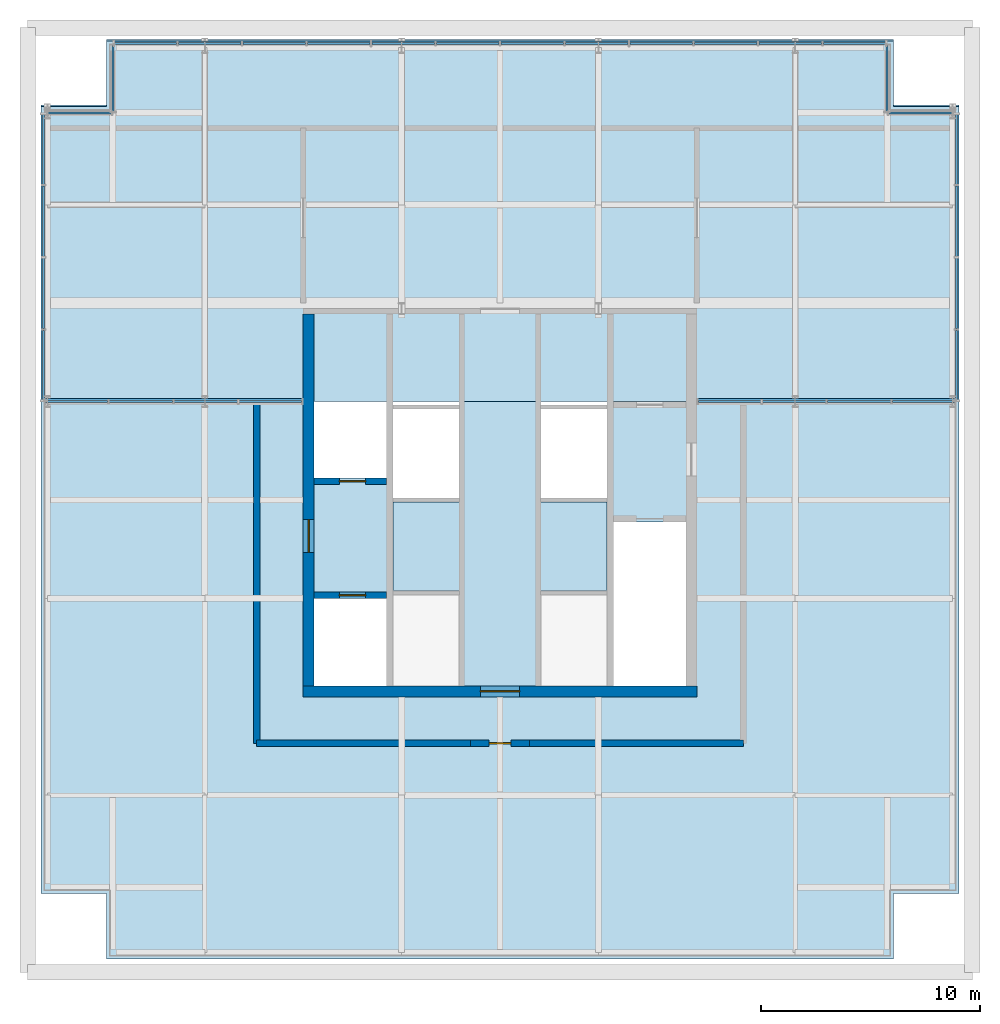
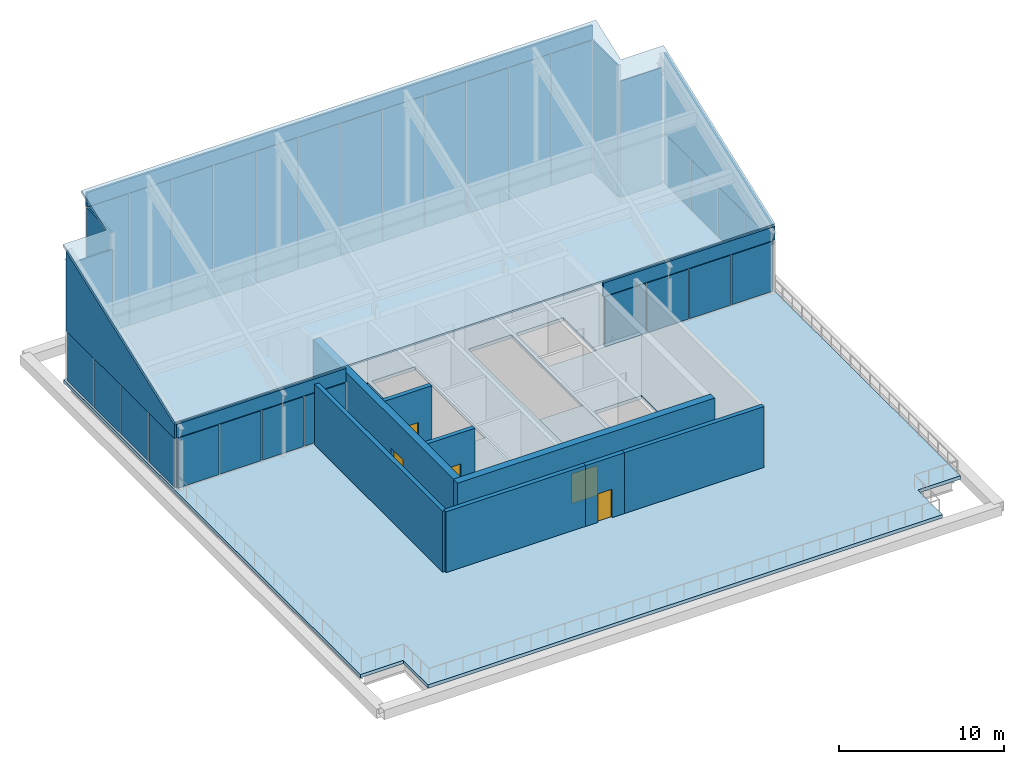
# One storey, part 8 of 10: 37 plates, 8 walls, 5 doors, 4 slabs, 5 openings, 9 elements without a shape of their own.
"""IFC4 building model written with IfcOpenShell, lengths in metres."""

from ifc_helpers import new_model, si_unit, direction, frame, frame_2d, origin, origin_2d, place, context, subcontext, project, spatial, polyline, rectangle, outline, extrude, material, layer, layer_set, type_object, element, fill, aggregate, save


model = new_model("IFC4")

# Units and contexts
model_context = context("Model", 3, precision=1e-05, world=origin(), true_north=direction((0.0, 1.0)))
body_context = subcontext(model_context, "Body", "Model", "MODEL_VIEW")
ifc_project = project(units=[si_unit("LENGTHUNIT", "METRE"), si_unit("AREAUNIT", "SQUARE_METRE"), si_unit("VOLUMEUNIT", "CUBIC_METRE"), si_unit("PLANEANGLEUNIT", "RADIAN"), si_unit("MASSUNIT", "GRAM", prefix="KILO")], contexts=[model_context])

# Site, building, storey
site_placement = place(None, origin())
site = spatial("IfcSite", under=ifc_project, at=site_placement, CompositionType="ELEMENT")
building_placement = place(site_placement, origin())
building = spatial("IfcBuilding", under=site, at=building_placement, Name="Malebo Sky Hospital", CompositionType="ELEMENT")
storey_placement = place(building_placement, frame((0.0, 0.0, 290.0)))
storey = spatial("IfcBuildingStorey", under=building, at=storey_placement, Name="RF", CompositionType="ELEMENT", Elevation=290.0)

# Slab
ifc_material_1 = material(Name="Insulated aluminium standing-seam roof on steel deck", Category="steel")
ifc_layer_1 = layer(ifc_material_1, 0.199951171875)
ifc_layer_set_1 = layer_set([ifc_layer_1], Name="CROWN ROOF DECK 200")
slab_type_1 = type_object("IfcSlabType", Name="CROWN ROOF DECK 200", PredefinedType="ROOF", material=ifc_layer_set_1)
slab_1_placement = place(storey_placement, frame((39.0, 66.5, 5.0), z_axis=(0.0, -0.347313162781, 0.937749202591), x_axis=(1.0, 0.0, 0.0)))
element("IfcSlab", 1, at=slab_1_placement, inside=storey, type_object=slab_type_1, Name="Sloped crown roof", PredefinedType="ROOF", context=body_context, shape_type="SweptSolid", body=[
    extrude(outline(polyline([(0.0, 0.0), (42.0, 0.0), (42.0, 14.39618004887632), (39.0, 14.39618004887632), (39.0, 17.595321749376318), (3.0, 17.595321749376318), (3.0, 14.39618004887632), (0.0, 14.39618004887632), (0.0, 0.0)])), origin(), (0.0, 0.0, -1.0), 0.199951171875),
])

# Plates
ifc_material_2 = material(Name="Anodised aluminium, natural silver insulated spandrel panel", Category="aluminium")
ifc_layer_2 = layer(ifc_material_2, 0.14990234375)
ifc_layer_set_2 = layer_set([ifc_layer_2], Name="CROWN SPANDREL PANEL 150")
plate_type_1 = type_object("IfcPlateType", Name="CROWN SPANDREL PANEL 150", PredefinedType="SHEET", material=ifc_layer_set_2)
plate_1_placement = place(storey_placement, frame((81.0, 66.5, 3.800048828125), z_axis=(1.0, 0.0, 0.0), x_axis=(0.0, 1.0, 0.0)))
element("IfcPlate", 2, at=plate_1_placement, inside=storey, type_object=plate_type_1, Name="Crown spandrel panel E", PredefinedType="SHEET", context=body_context, shape_type="SweptSolid", body=[
    extrude(outline(polyline([(0.0, 0.0), (13.199951171875, 0.0), (13.199951171875, 5.888916015625), (0.0, 1.0), (0.0, 0.0)])), origin(), (0.0, 0.0, -1.0), 0.14990234375),
])
plate_2_placement = place(storey_placement, frame((39.0, 66.5, 4.800048828125), z_axis=(-1.0, 0.0, 0.0), x_axis=(0.0, 0.937747714629, 0.347317180266)))
element("IfcPlate", 3, at=plate_2_placement, inside=storey, type_object=plate_type_1, Name="Crown spandrel panel W", PredefinedType="SHEET", context=body_context, shape_type="SweptSolid", body=[
    extrude(outline(polyline([(0.0, 0.0), (14.076228569745478, 0.0), (12.030906864374774, 5.52231753529477), (-0.3473171802660917, 0.9377477146290526), (0.0, 0.0)])), origin(), (0.0, 0.0, -1.0), 0.14990234375),
])
plate_3_placement = place(storey_placement, frame((42.300048828125, 83.0, 10.9111328125), z_axis=(0.0, 1.0, 0.0), x_axis=(1.0, 0.0, 0.0)))
element("IfcPlate", 4, at=plate_3_placement, inside=storey, type_object=plate_type_1, Name="Crown spandrel panel N", PredefinedType="SHEET", context=body_context, shape_type="SweptSolid", body=[
    extrude(outline(polyline([(0.0, 0.0), (35.39990234375, 0.0), (35.39990234375, 1.04638671875), (0.0, 1.04638671875), (0.0, 0.0)])), origin(), (0.0, 0.0, -1.0), 0.14990234375),
])
for number, where, z_axis, x_axis, name in (
    (5, (39.125, 66.5, 3.800048828125), (0.0, -1.0, 0.0), (1.0, 0.0, 0.0), "Crown spandrel panel SW"),
    (6, (69.0, 66.5, 3.800048828125), (0.0, -1.0, 0.0), (1.0, 0.0, 0.0), "Crown spandrel panel SE"),
):
    element("IfcPlate", number, at=place(storey_placement, frame(where, z_axis=z_axis, x_axis=x_axis)), inside=storey, type_object=plate_type_1, Name=name, PredefinedType="SHEET", context=body_context, shape_type="SweptSolid", body=[
        extrude(outline(polyline([(0.0, 0.0), (11.875, 0.0), (11.875, 1.0), (0.0, 1.0), (0.0, 0.0)])), origin(), (0.0, 0.0, -1.0), 0.14990234375),
    ])

# Curtain wall, plates
ifc_material_3 = material(Name="Anodised aluminium, natural silver", Category="aluminium")
ifc_layer_3 = layer(ifc_material_3, 0.25)
ifc_layer_set_3 = layer_set([ifc_layer_3], Name="PENTHOUSE LOUVRE SCREEN")
curtain_wall_type = type_object("IfcCurtainWallType", Name="PENTHOUSE LOUVRE SCREEN", PredefinedType="NOTDEFINED", material=ifc_layer_set_3)
curtain_wall_1_placement = place(storey_placement, origin())
curtain_wall_1 = element("IfcCurtainWall", 7, at=curtain_wall_1_placement, inside=storey, type_object=curtain_wall_type, Name="ROOF curtain wall N", PredefinedType="NOTDEFINED")
ifc_layer_4 = layer(ifc_material_3, 0.10009765625)
ifc_layer_set_4 = layer_set([ifc_layer_4], Name="LOUVRE PANEL 100")
plate_type_2 = type_object("IfcPlateType", Name="LOUVRE PANEL 100", PredefinedType="CURTAIN_PANEL", material=ifc_layer_set_4)
plate_4_placement = place(storey_placement, frame((76.206298828125, 82.875, 0.099853515625), z_axis=(0.0, 0.0, 1.0), x_axis=(-1.0, 0.0, 0.0)))
plate_4 = element("IfcPlate", 8, at=plate_4_placement, type_object=plate_type_2, Name="Panel 1", PredefinedType="CURTAIN_PANEL", context=body_context, shape_type="SweptSolid", body=[
    extrude(rectangle(XDim=2.83740234375, YDim=0.10009765625, at=origin_2d()), origin(), (0.0, 0.0, 1.0), 9.7548828125),
])
plate_5_placement = place(storey_placement, frame((73.27490234375, 82.875, 0.099853515625), z_axis=(0.0, 0.0, 1.0), x_axis=(-1.0, 0.0, 0.0)))
plate_5 = element("IfcPlate", 9, at=plate_5_placement, type_object=plate_type_2, Name="Panel 2", PredefinedType="CURTAIN_PANEL", context=body_context, shape_type="SweptSolid", body=[
    extrude(rectangle(XDim=2.875, YDim=0.10009765625, at=origin_2d()), origin(), (0.0, 0.0, 1.0), 9.7548828125),
])
plate_6_placement = place(storey_placement, frame((70.324951171875, 82.875, 0.099853515625), z_axis=(0.0, 0.0, 1.0), x_axis=(-1.0, 0.0, 0.0)))
plate_6 = element("IfcPlate", 10, at=plate_6_placement, type_object=plate_type_2, Name="Panel 3", PredefinedType="CURTAIN_PANEL", context=body_context, shape_type="SweptSolid", body=[
    extrude(rectangle(XDim=2.875, YDim=0.10009765625, at=origin_2d()), origin(), (0.0, 0.0, 1.0), 9.7548828125),
])
plate_7_placement = place(storey_placement, frame((67.375, 82.875, 0.099853515625), z_axis=(0.0, 0.0, 1.0), x_axis=(-1.0, 0.0, 0.0)))
plate_7 = element("IfcPlate", 11, at=plate_7_placement, type_object=plate_type_2, Name="Panel 4", PredefinedType="CURTAIN_PANEL", context=body_context, shape_type="SweptSolid", body=[
    extrude(rectangle(XDim=2.875, YDim=0.10009765625, at=origin_2d()), origin(), (0.0, 0.0, 1.0), 9.7548828125),
])
plate_8_placement = place(storey_placement, frame((64.425048828125, 82.875, 0.099853515625), z_axis=(0.0, 0.0, 1.0), x_axis=(-1.0, 0.0, 0.0)))
plate_8 = element("IfcPlate", 12, at=plate_8_placement, type_object=plate_type_2, Name="Panel 5", PredefinedType="CURTAIN_PANEL", context=body_context, shape_type="SweptSolid", body=[
    extrude(rectangle(XDim=2.875, YDim=0.10009765625, at=origin_2d()), origin(), (0.0, 0.0, 1.0), 9.7548828125),
])
plate_9_placement = place(storey_placement, frame((61.47509765625, 82.875, 0.099853515625), z_axis=(0.0, 0.0, 1.0), x_axis=(-1.0, 0.0, 0.0)))
plate_9 = element("IfcPlate", 13, at=plate_9_placement, type_object=plate_type_2, Name="Panel 6", PredefinedType="CURTAIN_PANEL", context=body_context, shape_type="SweptSolid", body=[
    extrude(rectangle(XDim=2.875, YDim=0.10009765625, at=origin_2d()), origin(), (0.0, 0.0, 1.0), 9.7548828125),
])
plate_10_placement = place(storey_placement, frame((58.52490234375, 82.875, 0.099853515625), z_axis=(0.0, 0.0, 1.0), x_axis=(-1.0, 0.0, 0.0)))
plate_10 = element("IfcPlate", 14, at=plate_10_placement, type_object=plate_type_2, Name="Panel 7", PredefinedType="CURTAIN_PANEL", context=body_context, shape_type="SweptSolid", body=[
    extrude(rectangle(XDim=2.875, YDim=0.10009765625, at=origin_2d()), origin(), (0.0, 0.0, 1.0), 9.7548828125),
])
plate_11_placement = place(storey_placement, frame((55.574951171875, 82.875, 0.099853515625), z_axis=(0.0, 0.0, 1.0), x_axis=(-1.0, 0.0, 0.0)))
plate_11 = element("IfcPlate", 15, at=plate_11_placement, type_object=plate_type_2, Name="Panel 8", PredefinedType="CURTAIN_PANEL", context=body_context, shape_type="SweptSolid", body=[
    extrude(rectangle(XDim=2.875, YDim=0.10009765625, at=origin_2d()), origin(), (0.0, 0.0, 1.0), 9.7548828125),
])
plate_12_placement = place(storey_placement, frame((52.625, 82.875, 0.099853515625), z_axis=(0.0, 0.0, 1.0), x_axis=(-1.0, 0.0, 0.0)))
plate_12 = element("IfcPlate", 16, at=plate_12_placement, type_object=plate_type_2, Name="Panel 9", PredefinedType="CURTAIN_PANEL", context=body_context, shape_type="SweptSolid", body=[
    extrude(rectangle(XDim=2.875, YDim=0.10009765625, at=origin_2d()), origin(), (0.0, 0.0, 1.0), 9.7548828125),
])
plate_13_placement = place(storey_placement, frame((49.675048828125, 82.875, 0.099853515625), z_axis=(0.0, 0.0, 1.0), x_axis=(-1.0, 0.0, 0.0)))
plate_13 = element("IfcPlate", 17, at=plate_13_placement, type_object=plate_type_2, Name="Panel 10", PredefinedType="CURTAIN_PANEL", context=body_context, shape_type="SweptSolid", body=[
    extrude(rectangle(XDim=2.875, YDim=0.10009765625, at=origin_2d()), origin(), (0.0, 0.0, 1.0), 9.7548828125),
])
plate_14_placement = place(storey_placement, frame((46.72509765625, 82.875, 0.099853515625), z_axis=(0.0, 0.0, 1.0), x_axis=(-1.0, 0.0, 0.0)))
plate_14 = element("IfcPlate", 18, at=plate_14_placement, type_object=plate_type_2, Name="Panel 11", PredefinedType="CURTAIN_PANEL", context=body_context, shape_type="SweptSolid", body=[
    extrude(rectangle(XDim=2.875, YDim=0.10009765625, at=origin_2d()), origin(), (0.0, 0.0, 1.0), 9.7548828125),
])
plate_15_placement = place(storey_placement, frame((43.793701171875, 82.875, 0.099853515625), z_axis=(0.0, 0.0, 1.0), x_axis=(-1.0, 0.0, 0.0)))
plate_15 = element("IfcPlate", 19, at=plate_15_placement, type_object=plate_type_2, Name="Panel 12", PredefinedType="CURTAIN_PANEL", context=body_context, shape_type="SweptSolid", body=[
    extrude(rectangle(XDim=2.83740234375, YDim=0.10009765625, at=origin_2d()), origin(), (0.0, 0.0, 1.0), 9.7548828125),
])
aggregate(curtain_wall_1, [plate_4, plate_5, plate_6, plate_7, plate_8, plate_9, plate_10, plate_11, plate_12, plate_13, plate_14, plate_15])

curtain_wall_2_placement = place(storey_placement, origin())
curtain_wall_2 = element("IfcCurtainWall", 20, at=curtain_wall_2_placement, inside=storey, type_object=curtain_wall_type, Name="ROOF curtain wall SW", PredefinedType="NOTDEFINED")
plate_16_placement = place(storey_placement, frame((40.628173828125, 66.5, 0.10009765625), z_axis=(0.0, 0.0, 1.0), x_axis=(1.0, 0.0, 0.0)))
plate_16 = element("IfcPlate", 21, at=plate_16_placement, type_object=plate_type_2, Name="Panel 1", PredefinedType="CURTAIN_PANEL", context=body_context, shape_type="SweptSolid", body=[
    extrude(rectangle(XDim=2.856201171875, YDim=0.10009765625, at=origin_2d()), origin(), (0.0, 0.0, 1.0), 3.68994140625),
])
plate_17_placement = place(storey_placement, frame((43.578125, 66.5, 0.10009765625), z_axis=(0.0, 0.0, 1.0), x_axis=(1.0, 0.0, 0.0)))
plate_17 = element("IfcPlate", 22, at=plate_17_placement, type_object=plate_type_2, Name="Panel 2", PredefinedType="CURTAIN_PANEL", context=body_context, shape_type="SweptSolid", body=[
    extrude(rectangle(XDim=2.893798828125, YDim=0.10009765625, at=origin_2d()), origin(), (0.0, 0.0, 1.0), 3.68994140625),
])
plate_18_placement = place(storey_placement, frame((46.546875, 66.5, 0.10009765625), z_axis=(0.0, 0.0, 1.0), x_axis=(1.0, 0.0, 0.0)))
plate_18 = element("IfcPlate", 23, at=plate_18_placement, type_object=plate_type_2, Name="Panel 3", PredefinedType="CURTAIN_PANEL", context=body_context, shape_type="SweptSolid", body=[
    extrude(rectangle(XDim=2.893798828125, YDim=0.10009765625, at=origin_2d()), origin(), (0.0, 0.0, 1.0), 3.68994140625),
])
plate_19_placement = place(storey_placement, frame((49.496826171875, 66.5, 0.10009765625), z_axis=(0.0, 0.0, 1.0), x_axis=(1.0, 0.0, 0.0)))
plate_19 = element("IfcPlate", 24, at=plate_19_placement, type_object=plate_type_2, Name="Panel 4", PredefinedType="CURTAIN_PANEL", context=body_context, shape_type="SweptSolid", body=[
    extrude(rectangle(XDim=2.856201171875, YDim=0.10009765625, at=origin_2d()), origin(), (0.0, 0.0, 1.0), 3.68994140625),
])
aggregate(curtain_wall_2, [plate_16, plate_17, plate_18, plate_19])

curtain_wall_3_placement = place(storey_placement, origin())
curtain_wall_3 = element("IfcCurtainWall", 25, at=curtain_wall_3_placement, inside=storey, type_object=curtain_wall_type, Name="ROOF curtain wall SE", PredefinedType="NOTDEFINED")
plate_20_placement = place(storey_placement, frame((70.503173828125, 66.5, 0.10009765625), z_axis=(0.0, 0.0, 1.0), x_axis=(1.0, 0.0, 0.0)))
plate_20 = element("IfcPlate", 26, at=plate_20_placement, type_object=plate_type_2, Name="Panel 1", PredefinedType="CURTAIN_PANEL", context=body_context, shape_type="SweptSolid", body=[
    extrude(rectangle(XDim=2.856201171875, YDim=0.10009765625, at=origin_2d()), origin(), (0.0, 0.0, 1.0), 3.68994140625),
])
plate_21_placement = place(storey_placement, frame((73.453125, 66.5, 0.10009765625), z_axis=(0.0, 0.0, 1.0), x_axis=(1.0, 0.0, 0.0)))
plate_21 = element("IfcPlate", 27, at=plate_21_placement, type_object=plate_type_2, Name="Panel 2", PredefinedType="CURTAIN_PANEL", context=body_context, shape_type="SweptSolid", body=[
    extrude(rectangle(XDim=2.893798828125, YDim=0.10009765625, at=origin_2d()), origin(), (0.0, 0.0, 1.0), 3.68994140625),
])
plate_22_placement = place(storey_placement, frame((76.421875, 66.5, 0.10009765625), z_axis=(0.0, 0.0, 1.0), x_axis=(1.0, 0.0, 0.0)))
plate_22 = element("IfcPlate", 28, at=plate_22_placement, type_object=plate_type_2, Name="Panel 3", PredefinedType="CURTAIN_PANEL", context=body_context, shape_type="SweptSolid", body=[
    extrude(rectangle(XDim=2.893798828125, YDim=0.10009765625, at=origin_2d()), origin(), (0.0, 0.0, 1.0), 3.68994140625),
])
plate_23_placement = place(storey_placement, frame((79.371826171875, 66.5, 0.10009765625), z_axis=(0.0, 0.0, 1.0), x_axis=(1.0, 0.0, 0.0)))
plate_23 = element("IfcPlate", 29, at=plate_23_placement, type_object=plate_type_2, Name="Panel 4", PredefinedType="CURTAIN_PANEL", context=body_context, shape_type="SweptSolid", body=[
    extrude(rectangle(XDim=2.856201171875, YDim=0.10009765625, at=origin_2d()), origin(), (0.0, 0.0, 1.0), 3.68994140625),
])
aggregate(curtain_wall_3, [plate_20, plate_21, plate_22, plate_23])

curtain_wall_4_placement = place(storey_placement, origin())
curtain_wall_4 = element("IfcCurtainWall", 30, at=curtain_wall_4_placement, inside=storey, type_object=curtain_wall_type, Name="ROOF curtain wall E", PredefinedType="NOTDEFINED")
plate_24_placement = place(storey_placement, frame((80.875, 68.168701171875, 0.10009765625), z_axis=(0.0, 0.0, 1.0), x_axis=(0.0, 1.0, 0.0)))
plate_24 = element("IfcPlate", 31, at=plate_24_placement, type_object=plate_type_2, Name="Panel 1", PredefinedType="CURTAIN_PANEL", context=body_context, shape_type="SweptSolid", body=[
    extrude(rectangle(XDim=3.1875, YDim=0.10009765625, at=origin_2d()), origin(), (0.0, 0.0, 1.0), 3.68994140625),
])
plate_25_placement = place(storey_placement, frame((80.875, 71.449951171875, 0.10009765625), z_axis=(0.0, 0.0, 1.0), x_axis=(0.0, 1.0, 0.0)))
plate_25 = element("IfcPlate", 32, at=plate_25_placement, type_object=plate_type_2, Name="Panel 2", PredefinedType="CURTAIN_PANEL", context=body_context, shape_type="SweptSolid", body=[
    extrude(rectangle(XDim=3.22509765625, YDim=0.10009765625, at=origin_2d()), origin(), (0.0, 0.0, 1.0), 3.68994140625),
])
plate_26_placement = place(storey_placement, frame((80.875, 74.75, 0.10009765625), z_axis=(0.0, 0.0, 1.0), x_axis=(0.0, 1.0, 0.0)))
plate_26 = element("IfcPlate", 33, at=plate_26_placement, type_object=plate_type_2, Name="Panel 3", PredefinedType="CURTAIN_PANEL", context=body_context, shape_type="SweptSolid", body=[
    extrude(rectangle(XDim=3.22509765625, YDim=0.10009765625, at=origin_2d()), origin(), (0.0, 0.0, 1.0), 3.68994140625),
])
plate_27_placement = place(storey_placement, frame((80.875, 78.03125, 0.10009765625), z_axis=(0.0, 0.0, 1.0), x_axis=(0.0, 1.0, 0.0)))
plate_27 = element("IfcPlate", 34, at=plate_27_placement, type_object=plate_type_2, Name="Panel 4", PredefinedType="CURTAIN_PANEL", context=body_context, shape_type="SweptSolid", body=[
    extrude(rectangle(XDim=3.1875, YDim=0.10009765625, at=origin_2d()), origin(), (0.0, 0.0, 1.0), 3.68994140625),
])
aggregate(curtain_wall_4, [plate_24, plate_25, plate_26, plate_27])

curtain_wall_5_placement = place(storey_placement, origin())
curtain_wall_5 = element("IfcCurtainWall", 35, at=curtain_wall_5_placement, inside=storey, type_object=curtain_wall_type, Name="ROOF curtain wall W", PredefinedType="NOTDEFINED")
plate_28_placement = place(storey_placement, frame((39.125, 78.03125, 0.10009765625), z_axis=(0.0, 0.0, 1.0), x_axis=(0.0, -1.0, 0.0)))
plate_28 = element("IfcPlate", 36, at=plate_28_placement, type_object=plate_type_2, Name="Panel 1", PredefinedType="CURTAIN_PANEL", context=body_context, shape_type="SweptSolid", body=[
    extrude(rectangle(XDim=3.1875, YDim=0.10009765625, at=origin_2d()), origin(), (0.0, 0.0, 1.0), 3.68994140625),
])
plate_29_placement = place(storey_placement, frame((39.125, 74.75, 0.10009765625), z_axis=(0.0, 0.0, 1.0), x_axis=(0.0, -1.0, 0.0)))
plate_29 = element("IfcPlate", 37, at=plate_29_placement, type_object=plate_type_2, Name="Panel 2", PredefinedType="CURTAIN_PANEL", context=body_context, shape_type="SweptSolid", body=[
    extrude(rectangle(XDim=3.22509765625, YDim=0.10009765625, at=origin_2d()), origin(), (0.0, 0.0, 1.0), 3.68994140625),
])
plate_30_placement = place(storey_placement, frame((39.125, 71.449951171875, 0.10009765625), z_axis=(0.0, 0.0, 1.0), x_axis=(0.0, -1.0, 0.0)))
plate_30 = element("IfcPlate", 38, at=plate_30_placement, type_object=plate_type_2, Name="Panel 3", PredefinedType="CURTAIN_PANEL", context=body_context, shape_type="SweptSolid", body=[
    extrude(rectangle(XDim=3.22509765625, YDim=0.10009765625, at=origin_2d()), origin(), (0.0, 0.0, 1.0), 3.68994140625),
])
plate_31_placement = place(storey_placement, frame((39.125, 68.168701171875, 0.10009765625), z_axis=(0.0, 0.0, 1.0), x_axis=(0.0, -1.0, 0.0)))
plate_31 = element("IfcPlate", 39, at=plate_31_placement, type_object=plate_type_2, Name="Panel 4", PredefinedType="CURTAIN_PANEL", context=body_context, shape_type="SweptSolid", body=[
    extrude(rectangle(XDim=3.1875, YDim=0.10009765625, at=origin_2d()), origin(), (0.0, 0.0, 1.0), 3.68994140625),
])
aggregate(curtain_wall_5, [plate_28, plate_29, plate_30, plate_31])

# Curtain wall, plate
curtain_wall_6_placement = place(storey_placement, origin())
curtain_wall_6 = element("IfcCurtainWall", 40, at=curtain_wall_6_placement, inside=storey, type_object=curtain_wall_type, Name="ROOF curtain wall NW1", PredefinedType="NOTDEFINED")
plate_32_placement = place(storey_placement, frame((40.781005859375, 79.699951171875, 0.10009765625), z_axis=(0.0, 0.0, 1.0), x_axis=(1.0, 0.0, 0.0)))
plate_32 = element("IfcPlate", 41, at=plate_32_placement, type_object=plate_type_2, Name="Panel 1", PredefinedType="CURTAIN_PANEL", context=body_context, shape_type="SweptSolid", body=[
    extrude(rectangle(XDim=2.887939453125, YDim=0.10009765625, at=origin_2d()), origin(), (0.0, 0.0, 1.0), 8.578857421875),
])
aggregate(curtain_wall_6, [plate_32])

curtain_wall_7_placement = place(storey_placement, origin())
curtain_wall_7 = element("IfcCurtainWall", 42, at=curtain_wall_7_placement, inside=storey, type_object=curtain_wall_type, Name="ROOF curtain wall NW2", PredefinedType="NOTDEFINED")
plate_33_placement = place(storey_placement, frame((42.300048828125, 81.28759765625, 0.099853515625), z_axis=(0.0, 0.0, 1.0), x_axis=(0.0, 1.0, 0.0)))
plate_33 = element("IfcPlate", 43, at=plate_33_placement, type_object=plate_type_2, Name="Panel 1", PredefinedType="CURTAIN_PANEL", context=body_context, shape_type="SweptSolid", body=[
    extrude(rectangle(XDim=3.02490234375, YDim=0.10009765625, at=origin_2d()), origin(), (0.0, 0.0, 1.0), 9.7548828125),
])
aggregate(curtain_wall_7, [plate_33])

curtain_wall_8_placement = place(storey_placement, origin())
curtain_wall_8 = element("IfcCurtainWall", 44, at=curtain_wall_8_placement, inside=storey, type_object=curtain_wall_type, Name="ROOF curtain wall NE1", PredefinedType="NOTDEFINED")
plate_34_placement = place(storey_placement, frame((79.218994140625, 79.699951171875, 0.10009765625), z_axis=(0.0, 0.0, 1.0), x_axis=(-1.0, 0.0, 0.0)))
plate_34 = element("IfcPlate", 45, at=plate_34_placement, type_object=plate_type_2, Name="Panel 1", PredefinedType="CURTAIN_PANEL", context=body_context, shape_type="SweptSolid", body=[
    extrude(rectangle(XDim=2.887939453125, YDim=0.10009765625, at=origin_2d()), origin(), (0.0, 0.0, 1.0), 8.578857421875),
])
aggregate(curtain_wall_8, [plate_34])

curtain_wall_9_placement = place(storey_placement, origin())
curtain_wall_9 = element("IfcCurtainWall", 46, at=curtain_wall_9_placement, inside=storey, type_object=curtain_wall_type, Name="ROOF curtain wall NE2", PredefinedType="NOTDEFINED")
plate_35_placement = place(storey_placement, frame((77.699951171875, 81.28759765625, 0.099853515625), z_axis=(0.0, 0.0, 1.0), x_axis=(0.0, 1.0, 0.0)))
plate_35 = element("IfcPlate", 47, at=plate_35_placement, type_object=plate_type_2, Name="Panel 1", PredefinedType="CURTAIN_PANEL", context=body_context, shape_type="SweptSolid", body=[
    extrude(rectangle(XDim=3.02490234375, YDim=0.10009765625, at=origin_2d()), origin(), (0.0, 0.0, 1.0), 9.7548828125),
])
aggregate(curtain_wall_9, [plate_35])

# Slabs
ifc_material_4 = material(Name="Concrete C40/50", Category="concrete")
ifc_layer_5 = layer(ifc_material_4, 0.25)
ifc_layer_set_5 = layer_set([ifc_layer_5], Name="ROOF SLAB 250")
slab_type_2 = type_object("IfcSlabType", Name="ROOF SLAB 250", PredefinedType="ROOF", material=ifc_layer_set_5)
slab_2_placement = place(storey_placement, frame((0.0, 0.0, -0.25)))
element("IfcSlab", 48, at=slab_2_placement, inside=storey, type_object=slab_type_2, Name="Main roof and helicopter landing deck", PredefinedType="ROOF", context=body_context, shape_type="SweptSolid", body=[
    extrude(outline(polyline([(42.0, 80.0), (39.0, 80.0), (39.0, 44.0), (42.0, 44.0), (42.0, 41.0), (78.0, 41.0), (78.0, 44.0), (81.0, 44.0), (81.0, 80.0), (78.0, 80.0), (78.0, 83.0), (42.0, 83.0), (42.0, 80.0)]), holes=[polyline([(58.14990234375, 70.5), (58.14990234375, 53.5), (55.10009765625, 53.5), (55.10009765625, 70.5), (58.14990234375, 70.5)]), polyline([(64.89990234375, 53.5), (61.85009765625, 53.5), (61.85009765625, 70.5), (64.89990234375, 70.5), (64.89990234375, 53.5)]), polyline([(51.5, 63.0), (51.5, 70.5), (54.800048828125, 70.5), (54.800048828125, 63.0), (51.5, 63.0)]), polyline([(51.5, 57.5), (54.800048828125, 57.5), (54.800048828125, 53.5), (51.5, 53.5), (51.5, 57.5)]), polyline([(68.5, 61.0), (68.5, 53.5), (65.199951171875, 53.5), (65.199951171875, 61.0), (68.5, 61.0)]), polyline([(68.5, 66.5), (65.199951171875, 66.5), (65.199951171875, 70.5), (68.5, 70.5), (68.5, 66.5)])]), origin(), (0.0, 0.0, 1.0), 0.25),
])
ifc_layer_6 = layer(ifc_material_4, 0.25)
ifc_layer_set_6 = layer_set([ifc_layer_6], Name="SHAFT INFILL SLAB 250")
slab_type_3 = type_object("IfcSlabType", Name="SHAFT INFILL SLAB 250", PredefinedType="FLOOR", material=ifc_layer_set_6)
slab_3_placement = place(storey_placement, frame((0.0, 0.0, -0.25)))
element("IfcSlab", 49, at=slab_3_placement, inside=storey, type_object=slab_type_3, Name="Shaft infill slab W2 RF", PredefinedType="FLOOR", context=body_context, shape_type="SweptSolid", body=[
    extrude(outline(polyline([(55.10009765625, 57.85009765625), (58.14990234375, 57.85009765625), (58.14990234375, 61.89990234375), (55.10009765625, 61.89990234375), (55.10009765625, 57.85009765625)])), origin(), (0.0, 0.0, 1.0), 0.25),
])
slab_4_placement = place(storey_placement, frame((0.0, 0.0, -0.25)))
element("IfcSlab", 50, at=slab_4_placement, inside=storey, type_object=slab_type_3, Name="Shaft infill slab E2 RF", PredefinedType="FLOOR", context=body_context, shape_type="SweptSolid", body=[
    extrude(outline(polyline([(61.85009765625, 57.85009765625), (64.89990234375, 57.85009765625), (64.89990234375, 61.89990234375), (61.85009765625, 61.89990234375), (61.85009765625, 57.85009765625)])), origin(), (0.0, 0.0, 1.0), 0.25),
])

# Wall, opening, door
ifc_material_5 = material(Name="Concrete C80/95", Category="concrete")
ifc_layer_7 = layer(ifc_material_5, 0.300048828125)
ifc_layer_set_7 = layer_set([ifc_layer_7], Name="CORE INNER WALL 300")
wall_type_1 = type_object("IfcWallType", Name="CORE INNER WALL 300", PredefinedType="SHEAR", material=ifc_layer_set_7)
wall_1_placement = place(storey_placement, frame((51.5, 62.85009765625, 0.0), z_axis=(0.0, 0.0, 1.0), x_axis=(1.0, 0.0, 0.0)))
wall_1 = element("IfcWall", 51, at=wall_1_placement, inside=storey, type_object=wall_type_1, Name="Core wall W1 RF", PredefinedType="SHEAR", context=body_context, shape_type="SweptSolid", body=[
    extrude(rectangle(XDim=3.300048828125, YDim=0.300048828125, at=frame_2d((1.64990234375, 0.0))), origin(), (0.0, 0.0, 1.0), 4.5),
])
opening_1_placement = place(wall_1_placement, frame((1.14990234375, 0.0, 0.0)))
opening_1 = element("IfcOpeningElement", 52, at=opening_1_placement, cuts=wall_1, Name="Opening D08", PredefinedType="OPENING", context=body_context, shape_type="SweptSolid", body=[
    extrude(rectangle(XDim=1.199951171875, YDim=2.10009765625, at=frame_2d((0.60009765625, 1.050048828125))), frame((0.0, 0.159912109375, 0.0), z_axis=(0.0, -1.0, 0.0), x_axis=(1.0, 0.0, 0.0)), (0.0, 0.0, 1.0), 0.320068359375),
])
ifc_material_6 = material(Name="Hardwood-faced door leaf in steel frame", Category="steel")
door_type_1 = type_object("IfcDoorType", Name="STAIR DOOR 1200", OperationType="SINGLE_SWING_LEFT", PredefinedType="DOOR", material=ifc_material_6)
door_1_placement = place(opening_1_placement, origin())
door_1 = element("IfcDoor", 53, at=door_1_placement, inside=storey, type_object=door_type_1, Name="Stair S1 door", OperationType="SINGLE_SWING_RIGHT", OverallHeight=2.10009765625, OverallWidth=1.199951171875, PredefinedType="DOOR", context=body_context, shape_type="SweptSolid", body=[
    extrude(rectangle(XDim=1.199951171875, YDim=2.10009765625, at=frame_2d((0.60009765625, 1.050048828125))), frame((0.0, 0.02490234375, 0.0), z_axis=(0.0, -1.0, 0.0), x_axis=(1.0, 0.0, 0.0)), (0.0, 0.0, 1.0), 0.050048828125),
])
fill(opening_1, door_1)

wall_2_placement = place(storey_placement, frame((51.5, 57.64990234375, 0.0), z_axis=(0.0, 0.0, 1.0), x_axis=(1.0, 0.0, 0.0)))
wall_2 = element("IfcWall", 54, at=wall_2_placement, inside=storey, type_object=wall_type_1, Name="Core wall W2 RF", PredefinedType="SHEAR", context=body_context, shape_type="SweptSolid", body=[
    extrude(rectangle(XDim=3.300048828125, YDim=0.300048828125, at=frame_2d((1.64990234375, 0.0))), origin(), (0.0, 0.0, 1.0), 4.5),
])
opening_2_placement = place(wall_2_placement, frame((1.14990234375, 0.0, 0.0)))
opening_2 = element("IfcOpeningElement", 55, at=opening_2_placement, cuts=wall_2, Name="Opening LD2", PredefinedType="OPENING", context=body_context, shape_type="SweptSolid", body=[
    extrude(rectangle(XDim=1.199951171875, YDim=2.199951171875, at=frame_2d((0.60009765625, 1.10009765625))), frame((0.0, 0.159912109375, 0.0), z_axis=(0.0, -1.0, 0.0), x_axis=(1.0, 0.0, 0.0)), (0.0, 0.0, 1.0), 0.320068359375),
])
ifc_material_7 = material(Name="Stainless steel sliding landing door", Category="steel")
door_type_2 = type_object("IfcDoorType", Name="FIRE-FIGHTING LIFT LANDING DOOR 1200", OperationType="SLIDING_TO_LEFT", PredefinedType="DOOR", material=ifc_material_7)
door_2_placement = place(opening_2_placement, origin())
door_2 = element("IfcDoor", 56, at=door_2_placement, inside=storey, type_object=door_type_2, Name="Lift FL1 landing door", OperationType="SLIDING_TO_LEFT", OverallHeight=2.199951171875, OverallWidth=1.199951171875, PredefinedType="DOOR", context=body_context, shape_type="SweptSolid", body=[
    extrude(rectangle(XDim=1.199951171875, YDim=2.199951171875, at=frame_2d((0.60009765625, 1.10009765625))), frame((0.0, 0.02490234375, 0.0), z_axis=(0.0, -1.0, 0.0), x_axis=(1.0, 0.0, 0.0)), (0.0, 0.0, 1.0), 0.050048828125),
])
fill(opening_2, door_2)

ifc_layer_8 = layer(ifc_material_5, 0.5)
ifc_layer_set_8 = layer_set([ifc_layer_8], Name="CORE WALL 500")
wall_type_2 = type_object("IfcWallType", Name="CORE WALL 500", PredefinedType="SHEAR", material=ifc_layer_set_8)
wall_3_placement = place(storey_placement, frame((51.0, 53.25, 0.0), z_axis=(0.0, 0.0, 1.0), x_axis=(1.0, 0.0, 0.0)))
wall_3 = element("IfcWall", 57, at=wall_3_placement, inside=storey, type_object=wall_type_2, Name="Core wall S RF", PredefinedType="SHEAR", context=body_context, shape_type="SweptSolid", body=[
    extrude(rectangle(XDim=18.0, YDim=0.5, at=frame_2d((9.0, 0.0))), origin(), (0.0, 0.0, 1.0), 4.5),
])
opening_3_placement = place(wall_3_placement, frame((8.10009765625, 0.0, 0.0)))
opening_3 = element("IfcOpeningElement", 58, at=opening_3_placement, cuts=wall_3, Name="Opening D06", PredefinedType="OPENING", context=body_context, shape_type="SweptSolid", body=[
    extrude(rectangle(XDim=1.800048828125, YDim=2.199951171875, at=frame_2d((0.89990234375, 1.10009765625))), frame((0.0, 0.260009765625, 0.0), z_axis=(0.0, -1.0, 0.0), x_axis=(1.0, 0.0, 0.0)), (0.0, 0.0, 1.0), 0.52001953125),
])
door_type_3 = type_object("IfcDoorType", Name="LOBBY DOOR PAIR 1800", OperationType="DOUBLE_DOOR_SINGLE_SWING", PredefinedType="DOOR", material=ifc_material_6)
door_3_placement = place(opening_3_placement, origin())
door_3 = element("IfcDoor", 59, at=door_3_placement, inside=storey, type_object=door_type_3, Name="Lift lobby door south", OperationType="DOUBLE_DOOR_SINGLE_SWING", OverallHeight=2.199951171875, OverallWidth=1.800048828125, PredefinedType="DOOR", context=body_context, shape_type="SweptSolid", body=[
    extrude(rectangle(XDim=1.800048828125, YDim=2.199951171875, at=frame_2d((0.89990234375, 1.10009765625))), frame((0.0, 0.02490234375, 0.0), z_axis=(0.0, -1.0, 0.0), x_axis=(1.0, 0.0, 0.0)), (0.0, 0.0, 1.0), 0.050048828125),
])
fill(opening_3, door_3)

wall_4_placement = place(storey_placement, frame((51.25, 53.5, 0.0), z_axis=(0.0, 0.0, 1.0), x_axis=(0.0, 1.0, 0.0)))
wall_4 = element("IfcWall", 60, at=wall_4_placement, inside=storey, type_object=wall_type_2, Name="Core wall W RF", PredefinedType="SHEAR", context=body_context, shape_type="SweptSolid", body=[
    extrude(rectangle(XDim=17.0, YDim=0.5, at=frame_2d((8.5, 0.0))), origin(), (0.0, 0.0, 1.0), 4.5),
])
opening_4_placement = place(wall_4_placement, frame((6.10009765625, 0.0, 0.0)))
opening_4 = element("IfcOpeningElement", 61, at=opening_4_placement, cuts=wall_4, Name="Opening D07", PredefinedType="OPENING", context=body_context, shape_type="SweptSolid", body=[
    extrude(rectangle(XDim=1.5, YDim=2.199951171875, at=frame_2d((0.75, 1.10009765625))), frame((0.0, 0.260009765625, 0.0), z_axis=(0.0, -1.0, 0.0), x_axis=(1.0, 0.0, 0.0)), (0.0, 0.0, 1.0), 0.52001953125),
])
door_type_4 = type_object("IfcDoorType", Name="FIRE-FIGHTING LOBBY DOOR PAIR 1500", OperationType="DOUBLE_DOOR_SINGLE_SWING", PredefinedType="DOOR", material=ifc_material_6)
door_4_placement = place(opening_4_placement, origin())
door_4 = element("IfcDoor", 62, at=door_4_placement, inside=storey, type_object=door_type_4, Name="Fire-fighting lobby door west", OperationType="DOUBLE_DOOR_SINGLE_SWING", OverallHeight=2.199951171875, OverallWidth=1.5, PredefinedType="DOOR", context=body_context, shape_type="SweptSolid", body=[
    extrude(rectangle(XDim=1.5, YDim=2.199951171875, at=frame_2d((0.75, 1.10009765625))), frame((0.0, 0.02490234375, 0.0), z_axis=(0.0, -1.0, 0.0), x_axis=(1.0, 0.0, 0.0)), (0.0, 0.0, 1.0), 0.050048828125),
])
fill(opening_4, door_4)

# Walls
ifc_material_8 = material(Name="Anodised aluminium rainscreen on steel framing", Category="steel")
ifc_layer_9 = layer(ifc_material_8, 0.300048828125)
ifc_layer_set_9 = layer_set([ifc_layer_9], Name="NOTCH RAINSCREEN WALL 300")
wall_type_3 = type_object("IfcWallType", Name="NOTCH RAINSCREEN WALL 300", PredefinedType="ELEMENTEDWALL", material=ifc_layer_set_9)
wall_5_placement = place(storey_placement, frame((48.875, 66.375, 0.0), z_axis=(0.0, 0.0, 1.0), x_axis=(0.0, -1.0, 0.0)))
element("IfcWall", 63, at=wall_5_placement, inside=storey, type_object=wall_type_3, Name="Roof plant corridor flank panel W", PredefinedType="ELEMENTEDWALL", context=body_context, shape_type="SweptSolid", body=[
    extrude(rectangle(XDim=15.5, YDim=0.300048828125, at=frame_2d((7.75, 0.0))), origin(), (0.0, 0.0, 1.0), 4.5),
])
for number, where, z_axis, x_axis, name in (
    (64, (48.875, 50.875, 0.0), (0.0, 0.0, 1.0), (1.0, 0.0, 0.0), "Roof plant corridor south panel W"),
    (65, (71.125, 50.875, 0.0), (0.0, 0.0, 1.0), (-1.0, 0.0, 0.0), "Roof plant corridor south panel E"),
):
    element("IfcWall", number, at=place(storey_placement, frame(where, z_axis=z_axis, x_axis=x_axis)), inside=storey, type_object=wall_type_3, Name=name, PredefinedType="ELEMENTEDWALL", context=body_context, shape_type="SweptSolid", body=[
        extrude(rectangle(XDim=9.77490234375, YDim=0.300048828125, at=frame_2d((4.887451171875, 0.0))), origin(), (0.0, 0.0, 1.0), 4.5),
    ])

# Wall, opening, door
wall_6_placement = place(storey_placement, frame((58.64990234375, 50.875, 0.0), z_axis=(0.0, 0.0, 1.0), x_axis=(1.0, 0.0, 0.0)))
wall_6 = element("IfcWall", 66, at=wall_6_placement, inside=storey, type_object=wall_type_3, Name="Rainscreen panel at maintenance door RF", PredefinedType="ELEMENTEDWALL", context=body_context, shape_type="SweptSolid", body=[
    extrude(rectangle(XDim=2.7001953125, YDim=0.300048828125, at=frame_2d((1.35009765625, 0.0))), origin(), (0.0, 0.0, 1.0), 4.5),
])
opening_5_placement = place(wall_6_placement, frame((0.85009765625, 0.0, 0.0)))
opening_5 = element("IfcOpeningElement", 67, at=opening_5_placement, cuts=wall_6, Name="Opening D30", PredefinedType="OPENING", context=body_context, shape_type="SweptSolid", body=[
    extrude(rectangle(XDim=1.0, YDim=2.10009765625, at=frame_2d((0.5, 1.050048828125))), frame((0.0, 0.159912109375, 0.0), z_axis=(0.0, -1.0, 0.0), x_axis=(1.0, 0.0, 0.0)), (0.0, 0.0, 1.0), 0.320068359375),
])
ifc_material_9 = material(Name="Galvanised steel weathertight door leaf in steel frame", Category="steel")
door_type_5 = type_object("IfcDoorType", Name="MAINTENANCE ACCESS DOOR 1000", OperationType="SINGLE_SWING_LEFT", PredefinedType="DOOR", material=ifc_material_9)
door_5_placement = place(opening_5_placement, frame((1.0, 0.0, 0.0), z_axis=(0.0, 0.0, 1.0), x_axis=(-1.0, 0.0, 0.0)))
door_5 = element("IfcDoor", 68, at=door_5_placement, inside=storey, type_object=door_type_5, Name="Maintenance access door to roof", OperationType="SINGLE_SWING_RIGHT", OverallHeight=2.10009765625, OverallWidth=1.0, PredefinedType="DOOR", context=body_context, shape_type="SweptSolid", body=[
    extrude(rectangle(XDim=1.0, YDim=2.10009765625, at=frame_2d((0.5, 1.050048828125))), frame((0.0, 0.02490234375, 0.0), z_axis=(0.0, -1.0, 0.0), x_axis=(1.0, 0.0, 0.0)), (0.0, 0.0, 1.0), 0.050048828125),
])
fill(opening_5, door_5)

save(model, "model.ifc")
